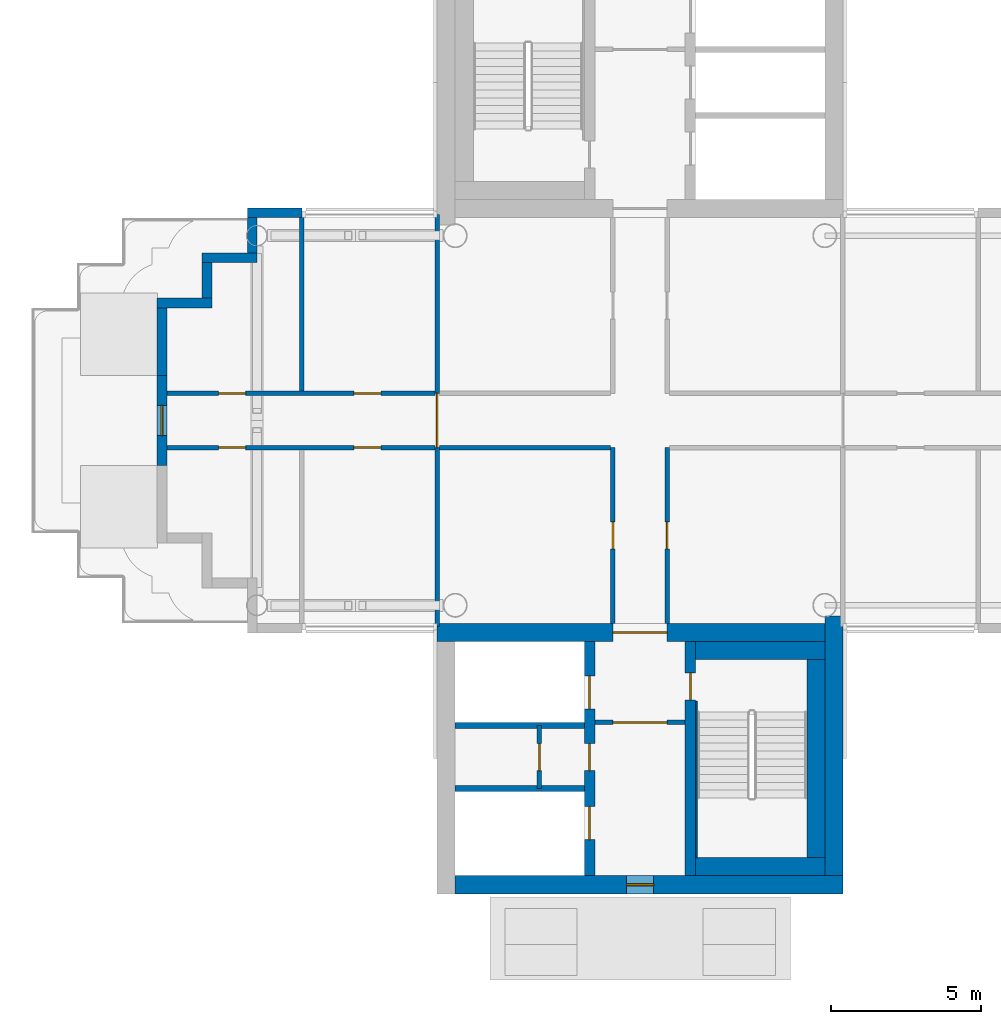
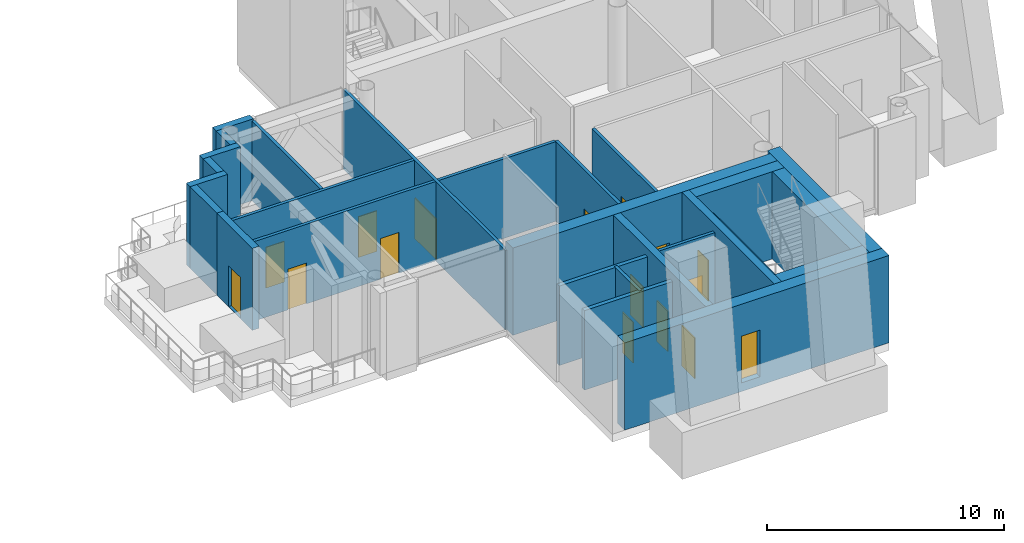
# One storey, part 9 of 16: 27 walls, 15 doors, 1 window, 16 openings.
"""IFC4 building model written with IfcOpenShell, lengths in metres."""

from ifc_helpers import new_model, si_unit, direction, frame, frame_2d, origin, place, context, subcontext, project, spatial, rectangle, extrude, material, layer, layer_set, type_object, element, fill, save


model = new_model("IFC4")

# Units and contexts
model_context = context("Model", 3, precision=1e-05, world=origin(), true_north=direction((0.0, 1.0)))
body_context = subcontext(model_context, "Body", "Model", "MODEL_VIEW")
ifc_project = project(units=[si_unit("LENGTHUNIT", "METRE"), si_unit("AREAUNIT", "SQUARE_METRE"), si_unit("VOLUMEUNIT", "CUBIC_METRE"), si_unit("PLANEANGLEUNIT", "RADIAN"), si_unit("MASSUNIT", "GRAM", prefix="KILO")], contexts=[model_context])

# Site, building, storey
site_placement = place(None, origin())
site = spatial("IfcSite", under=ifc_project, at=site_placement, CompositionType="ELEMENT")
building_placement = place(site_placement, origin())
building = spatial("IfcBuilding", under=site, at=building_placement, Name="Ipe Terrace Towers", CompositionType="ELEMENT")
storey_placement = place(building_placement, frame((0.0, 0.0, 233.39990234375)))
storey = spatial("IfcBuildingStorey", under=building, at=storey_placement, Name="L65", CompositionType="ELEMENT", Elevation=233.39990234375)

# Walls
ifc_material_1 = material(Name="Concrete C40/50 with buff precast cladding", Category="concrete")
ifc_layer_1 = layer(ifc_material_1, 0.320068359375)
ifc_layer_set_1 = layer_set([ifc_layer_1], Name="BUFF CLADDING WALL 320")
wall_type_1 = type_object("IfcWallType", Name="BUFF CLADDING WALL 320", PredefinedType="STANDARD", material=ifc_layer_set_1)
wall_1_placement = place(storey_placement, frame((24.75, 6.909912109375, 0.0), z_axis=(0.0, 0.0, 1.0), x_axis=(-1.0, 0.0, 0.0)))
element("IfcWall", 1, at=wall_1_placement, inside=storey, type_object=wall_type_1, Name="T2-W-L65-21a wall", PredefinedType="STANDARD", context=body_context, shape_type="SweptSolid", body=[
    extrude(rectangle(XDim=1.820068359375, YDim=0.320068359375, at=frame_2d((0.91015625, 0.0))), origin(), (0.0, 0.0, 1.0), 4.2001953125),
])
wall_2_placement = place(storey_placement, frame((23.090087890625, 6.75, -0.02001953125), z_axis=(0.0, 0.0, 1.0), x_axis=(0.0, -1.0, 0.0)))
element("IfcWall", 2, at=wall_2_placement, inside=storey, type_object=wall_type_1, Name="T2-W-L65-22a wall", PredefinedType="STANDARD", context=body_context, shape_type="SweptSolid", body=[
    extrude(rectangle(XDim=1.179931640625, YDim=0.320068359375, at=frame_2d((0.58984375, 0.0))), origin(), (0.0, 0.0, 1.0), 4.22021484375),
])
wall_3_placement = place(storey_placement, frame((23.25, 5.409912109375, -0.02001953125), z_axis=(0.0, 0.0, 1.0), x_axis=(-1.0, 0.0, 0.0)))
element("IfcWall", 3, at=wall_3_placement, inside=storey, type_object=wall_type_1, Name="T2-W-L65-23a wall", PredefinedType="STANDARD", context=body_context, shape_type="SweptSolid", body=[
    extrude(rectangle(XDim=1.820068359375, YDim=0.320068359375, at=frame_2d((0.91015625, 0.0))), origin(), (0.0, 0.0, 1.0), 4.22021484375),
])
wall_4_placement = place(storey_placement, frame((21.590087890625, 5.25, -0.02001953125), z_axis=(0.0, 0.0, 1.0), x_axis=(0.0, -1.0, 0.0)))
element("IfcWall", 4, at=wall_4_placement, inside=storey, type_object=wall_type_1, Name="T2-W-L65-24a wall", PredefinedType="STANDARD", context=body_context, shape_type="SweptSolid", body=[
    extrude(rectangle(XDim=1.179931640625, YDim=0.320068359375, at=frame_2d((0.58984375, 0.0))), origin(), (0.0, 0.0, 1.0), 4.22021484375),
])
wall_5_placement = place(storey_placement, frame((21.75, 3.909912109375, -0.02001953125), z_axis=(0.0, 0.0, 1.0), x_axis=(-1.0, 0.0, 0.0)))
element("IfcWall", 5, at=wall_5_placement, inside=storey, type_object=wall_type_1, Name="T2-W-L65-25a wall", PredefinedType="STANDARD", context=body_context, shape_type="SweptSolid", body=[
    extrude(rectangle(XDim=1.820068359375, YDim=0.320068359375, at=frame_2d((0.91015625, 0.0))), origin(), (0.0, 0.0, 1.0), 4.22021484375),
])
wall_6_placement = place(storey_placement, frame((20.090087890625, 3.75, -0.02001953125), z_axis=(0.0, 0.0, 1.0), x_axis=(0.0, -1.0, 0.0)))
element("IfcWall", 6, at=wall_6_placement, inside=storey, type_object=wall_type_1, Name="T2-W-L65-26a wall", PredefinedType="STANDARD", context=body_context, shape_type="SweptSolid", body=[
    extrude(rectangle(XDim=2.25, YDim=0.320068359375, at=frame_2d((1.125, 0.0))), origin(), (0.0, 0.0, 1.0), 4.22021484375),
])

# Wall, opening, door
wall_7_placement = place(storey_placement, frame((20.090087890625, 1.5, -0.02001953125), z_axis=(0.0, 0.0, 1.0), x_axis=(0.0, -1.0, 0.0)))
wall_7 = element("IfcWall", 7, at=wall_7_placement, inside=storey, type_object=wall_type_1, Name="T2-W-L65-26b wall", PredefinedType="STANDARD", context=body_context, shape_type="SweptSolid", body=[
    extrude(rectangle(XDim=3.0, YDim=0.320068359375, at=frame_2d((1.5, 0.0))), origin(), (0.0, 0.0, 1.0), 4.22021484375),
])
opening_1_placement = place(wall_7_placement, frame((1.0, 0.0, 0.02001953125)))
opening_1 = element("IfcOpeningElement", 8, at=opening_1_placement, cuts=wall_7, Name="Opening T2-D-L65-26", PredefinedType="OPENING", context=body_context, shape_type="SweptSolid", body=[
    extrude(rectangle(XDim=1.0, YDim=2.10009765625, at=frame_2d((0.5, 1.050048828125))), frame((0.0, 0.169921875, 0.0), z_axis=(0.0, -1.0, 0.0), x_axis=(1.0, 0.0, 0.0)), (0.0, 0.0, 1.0), 0.340087890625),
])
ifc_material_2 = material(Name="Aluminium alloy 6063-T6 framed glazed door", Category="aluminium")
door_type_1 = type_object("IfcDoorType", Name="TERRACE DOOR 1000 x 2100", OperationType="SINGLE_SWING_LEFT", PredefinedType="DOOR", material=ifc_material_2)
door_1_placement = place(opening_1_placement, origin())
door_1 = element("IfcDoor", 9, at=door_1_placement, inside=storey, type_object=door_type_1, Name="DT1 door", OperationType="SINGLE_SWING_LEFT", OverallHeight=2.10009765625, OverallWidth=1.0, PredefinedType="DOOR", context=body_context, shape_type="SweptSolid", body=[
    extrude(rectangle(XDim=1.0, YDim=2.10009765625, at=frame_2d((0.5, 1.050048828125))), frame((0.0, 0.02490234375, 0.0), z_axis=(0.0, -1.0, 0.0), x_axis=(1.0, 0.0, 0.0)), (0.0, 0.0, 1.0), 0.050048828125),
])
fill(opening_1, door_1)

ifc_material_3 = material(Name="Gypsum board partition", Category="plasterboard")
ifc_layer_2 = layer(ifc_material_3, 0.14990234375)
ifc_layer_set_2 = layer_set([ifc_layer_2], Name="Gypsum board partition 150 mm")
wall_type_2 = type_object("IfcWallType", Name="Gypsum board partition 150 mm", PredefinedType="PARTITIONING", material=ifc_layer_set_2)
wall_8_placement = place(storey_placement, frame((34.5, -10.050048828125, 0.0), z_axis=(0.0, 0.0, 1.0), x_axis=(1.0, 0.0, 0.0)))
wall_8 = element("IfcWall", 10, at=wall_8_placement, inside=storey, type_object=wall_type_2, Name="Gypsum board partition T2 L65 t2c2-lobby-wall", PredefinedType="PARTITIONING", context=body_context, shape_type="SweptSolid", body=[
    extrude(rectangle(XDim=3.0, YDim=0.14990234375, at=frame_2d((1.5, 0.0))), origin(), (0.0, 0.0, 1.0), 4.10009765625),
])
opening_2_placement = place(wall_8_placement, frame((0.60009765625, 0.0, 0.0)))
opening_2 = element("IfcOpeningElement", 11, at=opening_2_placement, cuts=wall_8, Name="Opening T2C2-VD", PredefinedType="OPENING", context=body_context, shape_type="SweptSolid", body=[
    extrude(rectangle(XDim=1.800048828125, YDim=2.10009765625, at=frame_2d((0.89990234375, 1.050048828125))), frame((0.0, 0.0849609375, 0.0), z_axis=(0.0, -1.0, 0.0), x_axis=(1.0, 0.0, 0.0)), (0.0, 0.0, 1.0), 0.169921875),
])
ifc_material_4 = material(Name="Fire-rated timber door leaf", Category="wood")
door_type_2 = type_object("IfcDoorType", Name="Lobby door 1800 x 2100 FD60", OperationType="NOTDEFINED", PredefinedType="DOOR", material=ifc_material_4)
door_2_placement = place(opening_2_placement, origin())
door_2 = element("IfcDoor", 12, at=door_2_placement, inside=storey, type_object=door_type_2, Name="Lobby door T2C2-VD", OperationType="SINGLE_SWING_LEFT", OverallHeight=2.10009765625, OverallWidth=1.800048828125, PredefinedType="DOOR", context=body_context, shape_type="SweptSolid", body=[
    extrude(rectangle(XDim=1.800048828125, YDim=2.10009765625, at=frame_2d((0.89990234375, 1.050048828125))), frame((0.0, 0.02490234375, 0.0), z_axis=(0.0, -1.0, 0.0), x_axis=(1.0, 0.0, 0.0)), (0.0, 0.0, 1.0), 0.050048828125),
])
fill(opening_2, door_2)

wall_9_placement = place(storey_placement, frame((32.64990234375, -10.14990234375, 0.0), z_axis=(0.0, 0.0, 1.0), x_axis=(0.0, -1.0, 0.0)))
wall_9 = element("IfcWall", 13, at=wall_9_placement, inside=storey, type_object=wall_type_2, Name="Gypsum board partition T2 L65 t2c2-q-back", PredefinedType="PARTITIONING", context=body_context, shape_type="SweptSolid", body=[
    extrude(rectangle(XDim=2.10009765625, YDim=0.14990234375, at=frame_2d((1.050048828125, 0.0))), origin(), (0.0, 0.0, 1.0), 4.10009765625),
])
opening_3_placement = place(wall_9_placement, frame((0.60009765625, 0.0, 0.0)))
opening_3 = element("IfcOpeningElement", 14, at=opening_3_placement, cuts=wall_9, Name="Opening T2C2-RB-FD30S", PredefinedType="OPENING", context=body_context, shape_type="SweptSolid", body=[
    extrude(rectangle(XDim=0.89990234375, YDim=2.10009765625, at=frame_2d((0.449951171875, 1.050048828125))), frame((0.0, 0.0849609375, 0.0), z_axis=(0.0, -1.0, 0.0), x_axis=(1.0, 0.0, 0.0)), (0.0, 0.0, 1.0), 0.169921875),
])
ifc_material_5 = material(Name="Fire-rated timber door leaf", Category="wood")
door_type_3 = type_object("IfcDoorType", Name="Service door 900 x 2100 FD30S", OperationType="NOTDEFINED", PredefinedType="DOOR", material=ifc_material_5)
door_3_placement = place(opening_3_placement, origin())
door_3 = element("IfcDoor", 15, at=door_3_placement, inside=storey, type_object=door_type_3, Name="Service door T2C2-RB-FD30S", OperationType="SINGLE_SWING_LEFT", OverallHeight=2.10009765625, OverallWidth=0.89990234375, PredefinedType="DOOR", context=body_context, shape_type="SweptSolid", body=[
    extrude(rectangle(XDim=0.89990234375, YDim=2.10009765625, at=frame_2d((0.449951171875, 1.050048828125))), frame((0.0, 0.02490234375, 0.0), z_axis=(0.0, -1.0, 0.0), x_axis=(1.0, 0.0, 0.0)), (0.0, 0.0, 1.0), 0.050048828125),
])
fill(opening_3, door_3)

wall_10_placement = place(storey_placement, frame((35.10009765625, -6.75, 0.0), z_axis=(0.0, 0.0, 1.0), x_axis=(0.0, 1.0, 0.0)))
wall_10 = element("IfcWall", 16, at=wall_10_placement, inside=storey, type_object=wall_type_2, Name="Gypsum board partition T2 L65 sp-hub-qwn-x", PredefinedType="PARTITIONING", context=body_context, shape_type="SweptSolid", body=[
    extrude(rectangle(XDim=5.85009765625, YDim=0.14990234375, at=frame_2d((2.925048828125, 0.0))), origin(), (0.0, 0.0, 1.0), 4.10009765625),
])
opening_4_placement = place(wall_10_placement, frame((2.47509765625, 0.0, 0.0)))
opening_4 = element("IfcOpeningElement", 17, at=opening_4_placement, cuts=wall_10, Name="Opening T2-SP-HWN-FD60", PredefinedType="OPENING", context=body_context, shape_type="SweptSolid", body=[
    extrude(rectangle(XDim=0.89990234375, YDim=2.10009765625, at=frame_2d((0.449951171875, 1.050048828125))), frame((0.0, 0.0849609375, 0.0), z_axis=(0.0, -1.0, 0.0), x_axis=(1.0, 0.0, 0.0)), (0.0, 0.0, 1.0), 0.169921875),
])
ifc_material_6 = material(Name="Fire-rated timber door leaf", Category="wood")
door_type_4 = type_object("IfcDoorType", Name="Service door 900 x 2100 FD60", OperationType="NOTDEFINED", PredefinedType="DOOR", material=ifc_material_6)
door_4_placement = place(opening_4_placement, origin())
door_4 = element("IfcDoor", 18, at=door_4_placement, inside=storey, type_object=door_type_4, Name="Service door T2-SP-HWN-FD60", OperationType="SINGLE_SWING_LEFT", OverallHeight=2.10009765625, OverallWidth=0.89990234375, PredefinedType="DOOR", context=body_context, shape_type="SweptSolid", body=[
    extrude(rectangle(XDim=0.89990234375, YDim=2.10009765625, at=frame_2d((0.449951171875, 1.050048828125))), frame((0.0, 0.02490234375, 0.0), z_axis=(0.0, -1.0, 0.0), x_axis=(1.0, 0.0, 0.0)), (0.0, 0.0, 1.0), 0.050048828125),
])
fill(opening_4, door_4)

# Wall
wall_11_placement = place(storey_placement, frame((35.02490234375, -0.89990234375, 0.0), z_axis=(0.0, 0.0, 1.0), x_axis=(-1.0, 0.0, 0.0)))
element("IfcWall", 19, at=wall_11_placement, inside=storey, type_object=wall_type_2, Name="Gypsum board partition T2 L65 sp-hub-qwn-y", PredefinedType="PARTITIONING", context=body_context, shape_type="SweptSolid", body=[
    extrude(rectangle(XDim=5.699951171875, YDim=0.14990234375, at=frame_2d((2.85009765625, 0.0))), origin(), (0.0, 0.0, 1.0), 4.10009765625),
])

# Wall, opening, door
wall_12_placement = place(storey_placement, frame((36.89990234375, -6.75, 0.0), z_axis=(0.0, 0.0, 1.0), x_axis=(0.0, 1.0, 0.0)))
wall_12 = element("IfcWall", 20, at=wall_12_placement, inside=storey, type_object=wall_type_2, Name="Gypsum board partition T2 L65 sp-hub-qws-x", PredefinedType="PARTITIONING", context=body_context, shape_type="SweptSolid", body=[
    extrude(rectangle(XDim=5.85009765625, YDim=0.14990234375, at=frame_2d((2.925048828125, 0.0))), origin(), (0.0, 0.0, 1.0), 4.10009765625),
])
opening_5_placement = place(wall_12_placement, frame((2.47509765625, 0.0, 0.0)))
opening_5 = element("IfcOpeningElement", 21, at=opening_5_placement, cuts=wall_12, Name="Opening T2-SP-HWS-FD60", PredefinedType="OPENING", context=body_context, shape_type="SweptSolid", body=[
    extrude(rectangle(XDim=0.89990234375, YDim=2.10009765625, at=frame_2d((0.449951171875, 1.050048828125))), frame((0.0, 0.0849609375, 0.0), z_axis=(0.0, -1.0, 0.0), x_axis=(1.0, 0.0, 0.0)), (0.0, 0.0, 1.0), 0.169921875),
])
door_5_placement = place(opening_5_placement, origin())
door_5 = element("IfcDoor", 22, at=door_5_placement, inside=storey, type_object=door_type_4, Name="Service door T2-SP-HWS-FD60", OperationType="SINGLE_SWING_RIGHT", OverallHeight=2.10009765625, OverallWidth=0.89990234375, PredefinedType="DOOR", context=body_context, shape_type="SweptSolid", body=[
    extrude(rectangle(XDim=0.89990234375, YDim=2.10009765625, at=frame_2d((0.449951171875, 1.050048828125))), frame((0.0, 0.02490234375, 0.0), z_axis=(0.0, -1.0, 0.0), x_axis=(1.0, 0.0, 0.0)), (0.0, 0.0, 1.0), 0.050048828125),
])
fill(opening_5, door_5)

wall_13_placement = place(storey_placement, frame((29.25, -6.85009765625, 0.0), z_axis=(0.0, 0.0, 1.0), x_axis=(0.0, 1.0, 0.0)))
wall_13 = element("IfcWall", 23, at=wall_13_placement, inside=storey, type_object=wall_type_2, Name="Gypsum board partition T2 L65 sp-Sp-mouth", PredefinedType="PARTITIONING", context=body_context, shape_type="SweptSolid", body=[
    extrude(rectangle(XDim=13.7001953125, YDim=0.14990234375, at=frame_2d((6.85009765625, 0.0))), origin(), (0.0, 0.0, 1.0), 4.10009765625),
])
opening_6_placement = place(wall_13_placement, frame((5.949951171875, 0.0, 0.0)))
opening_6 = element("IfcOpeningElement", 24, at=opening_6_placement, cuts=wall_13, Name="Opening T2-SP-MSp", PredefinedType="OPENING", context=body_context, shape_type="SweptSolid", body=[
    extrude(rectangle(XDim=1.800048828125, YDim=2.10009765625, at=frame_2d((0.89990234375, 1.050048828125))), frame((0.0, 0.0849609375, 0.0), z_axis=(0.0, -1.0, 0.0), x_axis=(1.0, 0.0, 0.0)), (0.0, 0.0, 1.0), 0.169921875),
])
ifc_material_7 = material(Name="Fire-rated timber door leaf", Category="wood")
door_type_5 = type_object("IfcDoorType", Name="Lobby door 1800 x 2100 FD30S", OperationType="NOTDEFINED", PredefinedType="DOOR", material=ifc_material_7)
door_6_placement = place(opening_6_placement, origin())
door_6 = element("IfcDoor", 25, at=door_6_placement, inside=storey, type_object=door_type_5, Name="Lobby door T2-SP-MSp", OperationType="SINGLE_SWING_LEFT", OverallHeight=2.10009765625, OverallWidth=1.800048828125, PredefinedType="DOOR", context=body_context, shape_type="SweptSolid", body=[
    extrude(rectangle(XDim=1.800048828125, YDim=2.10009765625, at=frame_2d((0.89990234375, 1.050048828125))), frame((0.0, 0.02490234375, 0.0), z_axis=(0.0, -1.0, 0.0), x_axis=(1.0, 0.0, 0.0)), (0.0, 0.0, 1.0), 0.050048828125),
])
fill(opening_6, door_6)

# Wall, openings, doors
wall_14_placement = place(storey_placement, frame((29.175048828125, 0.89990234375, 0.0), z_axis=(0.0, 0.0, 1.0), x_axis=(-1.0, 0.0, 0.0)))
wall_14 = element("IfcWall", 26, at=wall_14_placement, inside=storey, type_object=wall_type_2, Name="Gypsum board partition T2 L65 sp-Sp-wp", PredefinedType="PARTITIONING", context=body_context, shape_type="SweptSolid", body=[
    extrude(rectangle(XDim=9.025146484375, YDim=0.14990234375, at=frame_2d((4.5126953125, 0.0))), origin(), (0.0, 0.0, 1.0), 4.10009765625),
])
opening_7_placement = place(wall_14_placement, frame((1.800048828125, 0.0, 0.0)))
opening_7 = element("IfcOpeningElement", 27, at=opening_7_placement, cuts=wall_14, Name="Opening T2-SP-PSp1-FD60", PredefinedType="OPENING", context=body_context, shape_type="SweptSolid", body=[
    extrude(rectangle(XDim=0.89990234375, YDim=2.10009765625, at=frame_2d((0.449951171875, 1.050048828125))), frame((0.0, 0.0849609375, 0.0), z_axis=(0.0, -1.0, 0.0), x_axis=(1.0, 0.0, 0.0)), (0.0, 0.0, 1.0), 0.169921875),
])
opening_8_placement = place(wall_14_placement, frame((6.300048828125, 0.0, 0.0)))
opening_8 = element("IfcOpeningElement", 28, at=opening_8_placement, cuts=wall_14, Name="Opening T2-SP-PSp2-FD60", PredefinedType="OPENING", context=body_context, shape_type="SweptSolid", body=[
    extrude(rectangle(XDim=0.89990234375, YDim=2.10009765625, at=frame_2d((0.449951171875, 1.050048828125))), frame((0.0, 0.0849609375, 0.0), z_axis=(0.0, -1.0, 0.0), x_axis=(1.0, 0.0, 0.0)), (0.0, 0.0, 1.0), 0.169921875),
])
door_7_placement = place(opening_7_placement, origin())
door_7 = element("IfcDoor", 29, at=door_7_placement, inside=storey, type_object=door_type_4, Name="Service door T2-SP-PSp1-FD60", OperationType="SINGLE_SWING_LEFT", OverallHeight=2.10009765625, OverallWidth=0.89990234375, PredefinedType="DOOR", context=body_context, shape_type="SweptSolid", body=[
    extrude(rectangle(XDim=0.89990234375, YDim=2.10009765625, at=frame_2d((0.449951171875, 1.050048828125))), frame((0.0, 0.02490234375, 0.0), z_axis=(0.0, -1.0, 0.0), x_axis=(1.0, 0.0, 0.0)), (0.0, 0.0, 1.0), 0.050048828125),
])
fill(opening_7, door_7)
door_8_placement = place(opening_8_placement, origin())
door_8 = element("IfcDoor", 30, at=door_8_placement, inside=storey, type_object=door_type_4, Name="Service door T2-SP-PSp2-FD60", OperationType="SINGLE_SWING_RIGHT", OverallHeight=2.10009765625, OverallWidth=0.89990234375, PredefinedType="DOOR", context=body_context, shape_type="SweptSolid", body=[
    extrude(rectangle(XDim=0.89990234375, YDim=2.10009765625, at=frame_2d((0.449951171875, 1.050048828125))), frame((0.0, 0.02490234375, 0.0), z_axis=(0.0, -1.0, 0.0), x_axis=(1.0, 0.0, 0.0)), (0.0, 0.0, 1.0), 0.050048828125),
])
fill(opening_8, door_8)

# Wall
wall_15_placement = place(storey_placement, frame((24.75, 0.97509765625, 0.0), z_axis=(0.0, 0.0, 1.0), x_axis=(0.0, 1.0, 0.0)))
element("IfcWall", 31, at=wall_15_placement, inside=storey, type_object=wall_type_2, Name="Gypsum board partition T2 L65 sp-Sp-dp1", PredefinedType="PARTITIONING", context=body_context, shape_type="SweptSolid", body=[
    extrude(rectangle(XDim=5.875, YDim=0.14990234375, at=frame_2d((2.9375, 0.0))), origin(), (0.0, 0.0, 1.0), 4.10009765625),
])

# Wall, openings, doors
wall_16_placement = place(storey_placement, frame((29.175048828125, -0.89990234375, 0.0), z_axis=(0.0, 0.0, 1.0), x_axis=(-1.0, 0.0, 0.0)))
wall_16 = element("IfcWall", 32, at=wall_16_placement, inside=storey, type_object=wall_type_2, Name="Gypsum board partition T2 L65 sp-Sp-wm", PredefinedType="PARTITIONING", context=body_context, shape_type="SweptSolid", body=[
    extrude(rectangle(XDim=9.025146484375, YDim=0.14990234375, at=frame_2d((4.5126953125, 0.0))), origin(), (0.0, 0.0, 1.0), 4.10009765625),
])
opening_9_placement = place(wall_16_placement, frame((1.800048828125, 0.0, 0.0)))
opening_9 = element("IfcOpeningElement", 33, at=opening_9_placement, cuts=wall_16, Name="Opening T2-SP-MSp1-FD60", PredefinedType="OPENING", context=body_context, shape_type="SweptSolid", body=[
    extrude(rectangle(XDim=0.89990234375, YDim=2.10009765625, at=frame_2d((0.449951171875, 1.050048828125))), frame((0.0, 0.0849609375, 0.0), z_axis=(0.0, -1.0, 0.0), x_axis=(1.0, 0.0, 0.0)), (0.0, 0.0, 1.0), 0.169921875),
])
opening_10_placement = place(wall_16_placement, frame((6.300048828125, 0.0, 0.0)))
opening_10 = element("IfcOpeningElement", 34, at=opening_10_placement, cuts=wall_16, Name="Opening T2-SP-MSp2-FD60", PredefinedType="OPENING", context=body_context, shape_type="SweptSolid", body=[
    extrude(rectangle(XDim=0.89990234375, YDim=2.10009765625, at=frame_2d((0.449951171875, 1.050048828125))), frame((0.0, 0.0849609375, 0.0), z_axis=(0.0, -1.0, 0.0), x_axis=(1.0, 0.0, 0.0)), (0.0, 0.0, 1.0), 0.169921875),
])
door_9_placement = place(opening_9_placement, origin())
door_9 = element("IfcDoor", 35, at=door_9_placement, inside=storey, type_object=door_type_4, Name="Service door T2-SP-MSp1-FD60", OperationType="SINGLE_SWING_RIGHT", OverallHeight=2.10009765625, OverallWidth=0.89990234375, PredefinedType="DOOR", context=body_context, shape_type="SweptSolid", body=[
    extrude(rectangle(XDim=0.89990234375, YDim=2.10009765625, at=frame_2d((0.449951171875, 1.050048828125))), frame((0.0, 0.02490234375, 0.0), z_axis=(0.0, -1.0, 0.0), x_axis=(1.0, 0.0, 0.0)), (0.0, 0.0, 1.0), 0.050048828125),
])
fill(opening_9, door_9)
door_10_placement = place(opening_10_placement, origin())
door_10 = element("IfcDoor", 36, at=door_10_placement, inside=storey, type_object=door_type_4, Name="Service door T2-SP-MSp2-FD60", OperationType="SINGLE_SWING_LEFT", OverallHeight=2.10009765625, OverallWidth=0.89990234375, PredefinedType="DOOR", context=body_context, shape_type="SweptSolid", body=[
    extrude(rectangle(XDim=0.89990234375, YDim=2.10009765625, at=frame_2d((0.449951171875, 1.050048828125))), frame((0.0, 0.02490234375, 0.0), z_axis=(0.0, -1.0, 0.0), x_axis=(1.0, 0.0, 0.0)), (0.0, 0.0, 1.0), 0.050048828125),
])
fill(opening_10, door_10)

# Walls
ifc_material_8 = material(Name="Gypsum board party wall", Category="plasterboard")
ifc_layer_3 = layer(ifc_material_8, 0.199951171875)
ifc_layer_set_3 = layer_set([ifc_layer_3], Name="Gypsum board party wall 200 mm")
wall_type_3 = type_object("IfcWallType", Name="Gypsum board party wall 200 mm", PredefinedType="SOLIDWALL", material=ifc_layer_set_3)
for number, where, z_axis, x_axis, name in (
    (37, (29.85009765625, -12.25, 0.0), (0.0, 0.0, 1.0), (1.0, 0.0, 0.0), "Gypsum board party wall T2 L65 t2c2-shaft-div2"),
    (38, (29.85009765625, -10.14990234375, 0.0), (0.0, 0.0, 1.0), (1.0, 0.0, 0.0), "Gypsum board party wall T2 L65 t2c2-shaft-div1"),
):
    element("IfcWall", number, at=place(storey_placement, frame(where, z_axis=z_axis, x_axis=x_axis)), inside=storey, type_object=wall_type_3, Name=name, PredefinedType="SOLIDWALL", context=body_context, shape_type="SweptSolid", body=[
        extrude(rectangle(XDim=4.2998046875, YDim=0.199951171875, at=frame_2d((2.14990234375, 0.0))), origin(), (0.0, 0.0, 1.0), 4.10009765625),
    ])

# Wall, openings, doors
ifc_material_9 = material(Name="Concrete C40/50", Category="concrete")
ifc_layer_4 = layer(ifc_material_9, 0.35009765625)
ifc_layer_set_4 = layer_set([ifc_layer_4], Name="RW350 CORE SPINE WALL 350 C40-50")
wall_type_4 = type_object("IfcWallType", Name="RW350 CORE SPINE WALL 350 C40-50", PredefinedType="SHEAR", material=ifc_layer_set_4)
wall_17_placement = place(storey_placement, frame((34.324951171875, -15.14990234375, 0.0), z_axis=(0.0, 0.0, 1.0), x_axis=(0.0, 1.0, 0.0)))
wall_17 = element("IfcWall", 39, at=wall_17_placement, inside=storey, type_object=wall_type_4, Name="Core spine wall T2-C2-Z4-SW1", PredefinedType="SHEAR", context=body_context, shape_type="SweptSolid", body=[
    extrude(rectangle(XDim=7.7998046875, YDim=0.35009765625, at=frame_2d((3.89990234375, 0.0))), origin(), (0.0, 0.0, 1.0), 4.5),
])
opening_11_placement = place(wall_17_placement, frame((5.550048828125, 0.0, 0.0)))
opening_11 = element("IfcOpeningElement", 40, at=opening_11_placement, cuts=wall_17, Name="Opening T2C2-LD1", PredefinedType="OPENING", context=body_context, shape_type="SweptSolid", body=[
    extrude(rectangle(XDim=1.10009765625, YDim=2.10009765625, at=frame_2d((0.550048828125, 1.050048828125))), frame((0.0, 0.18505859375, 0.0), z_axis=(0.0, -1.0, 0.0), x_axis=(1.0, 0.0, 0.0)), (0.0, 0.0, 1.0), 0.3701171875),
])
opening_12_placement = place(wall_17_placement, frame((1.199951171875, 0.0, 0.0)))
opening_12 = element("IfcOpeningElement", 41, at=opening_12_placement, cuts=wall_17, Name="Opening T2C2-LD3", PredefinedType="OPENING", context=body_context, shape_type="SweptSolid", body=[
    extrude(rectangle(XDim=1.10009765625, YDim=2.10009765625, at=frame_2d((0.550048828125, 1.050048828125))), frame((0.0, 0.18505859375, 0.0), z_axis=(0.0, -1.0, 0.0), x_axis=(1.0, 0.0, 0.0)), (0.0, 0.0, 1.0), 0.3701171875),
])
opening_13_placement = place(wall_17_placement, frame((3.5, 0.0, 0.0)))
opening_13 = element("IfcOpeningElement", 42, at=opening_13_placement, cuts=wall_17, Name="Opening T2C2-R1", PredefinedType="OPENING", context=body_context, shape_type="SweptSolid", body=[
    extrude(rectangle(XDim=0.89990234375, YDim=2.10009765625, at=frame_2d((0.449951171875, 1.050048828125))), frame((0.0, 0.18505859375, 0.0), z_axis=(0.0, -1.0, 0.0), x_axis=(1.0, 0.0, 0.0)), (0.0, 0.0, 1.0), 0.3701171875),
])
ifc_material_10 = material(Name="Fire-rated timber door leaf", Category="wood")
door_type_6 = type_object("IfcDoorType", Name="Sliding door 1100 x 2100 FD60", OperationType="SLIDING_TO_LEFT", PredefinedType="DOOR", material=ifc_material_10)
door_11_placement = place(opening_11_placement, origin())
door_11 = element("IfcDoor", 43, at=door_11_placement, inside=storey, type_object=door_type_6, Name="Sliding door T2C2-LD1", OperationType="SLIDING_TO_LEFT", OverallHeight=2.10009765625, OverallWidth=1.10009765625, PredefinedType="DOOR", context=body_context, shape_type="SweptSolid", body=[
    extrude(rectangle(XDim=1.10009765625, YDim=2.10009765625, at=frame_2d((0.550048828125, 1.050048828125))), frame((0.0, 0.02490234375, 0.0), z_axis=(0.0, -1.0, 0.0), x_axis=(1.0, 0.0, 0.0)), (0.0, 0.0, 1.0), 0.050048828125),
])
fill(opening_11, door_11)
door_12_placement = place(opening_12_placement, origin())
door_12 = element("IfcDoor", 44, at=door_12_placement, inside=storey, type_object=door_type_6, Name="Sliding door T2C2-LD3", OperationType="SLIDING_TO_LEFT", OverallHeight=2.10009765625, OverallWidth=1.10009765625, PredefinedType="DOOR", context=body_context, shape_type="SweptSolid", body=[
    extrude(rectangle(XDim=1.10009765625, YDim=2.10009765625, at=frame_2d((0.550048828125, 1.050048828125))), frame((0.0, 0.02490234375, 0.0), z_axis=(0.0, -1.0, 0.0), x_axis=(1.0, 0.0, 0.0)), (0.0, 0.0, 1.0), 0.050048828125),
])
fill(opening_12, door_12)
ifc_material_11 = material(Name="Timber door leaf", Category="wood")
door_type_7 = type_object("IfcDoorType", Name="Store door 900 x 2100", OperationType="NOTDEFINED", PredefinedType="DOOR", material=ifc_material_11)
door_13_placement = place(opening_13_placement, origin())
door_13 = element("IfcDoor", 45, at=door_13_placement, inside=storey, type_object=door_type_7, Name="Store door T2C2-R1", OperationType="SINGLE_SWING_LEFT", OverallHeight=2.10009765625, OverallWidth=0.89990234375, PredefinedType="DOOR", context=body_context, shape_type="SweptSolid", body=[
    extrude(rectangle(XDim=0.89990234375, YDim=2.10009765625, at=frame_2d((0.449951171875, 1.050048828125))), frame((0.0, 0.02490234375, 0.0), z_axis=(0.0, -1.0, 0.0), x_axis=(1.0, 0.0, 0.0)), (0.0, 0.0, 1.0), 0.050048828125),
])
fill(opening_13, door_13)

# Wall, opening, door
wall_18_placement = place(storey_placement, frame((37.675048828125, -15.14990234375, 0.0), z_axis=(0.0, 0.0, 1.0), x_axis=(0.0, 1.0, 0.0)))
wall_18 = element("IfcWall", 46, at=wall_18_placement, inside=storey, type_object=wall_type_4, Name="Core spine wall T2-C2-Z4-SW2", PredefinedType="SHEAR", context=body_context, shape_type="SweptSolid", body=[
    extrude(rectangle(XDim=7.7998046875, YDim=0.35009765625, at=frame_2d((3.89990234375, 0.0))), origin(), (0.0, 0.0, 1.0), 4.5),
])
opening_14_placement = place(wall_18_placement, frame((5.85009765625, 0.0, 0.0)))
opening_14 = element("IfcOpeningElement", 47, at=opening_14_placement, cuts=wall_18, Name="Opening T2C2-SD", PredefinedType="OPENING", context=body_context, shape_type="SweptSolid", body=[
    extrude(rectangle(XDim=0.89990234375, YDim=2.10009765625, at=frame_2d((0.449951171875, 1.050048828125))), frame((0.0, 0.18505859375, 0.0), z_axis=(0.0, -1.0, 0.0), x_axis=(1.0, 0.0, 0.0)), (0.0, 0.0, 1.0), 0.3701171875),
])
ifc_material_12 = material(Name="Fire-rated timber door leaf", Category="wood")
door_type_8 = type_object("IfcDoorType", Name="Stair door 900 x 2100 FD60", OperationType="NOTDEFINED", PredefinedType="DOOR", material=ifc_material_12)
door_14_placement = place(opening_14_placement, origin())
door_14 = element("IfcDoor", 48, at=door_14_placement, inside=storey, type_object=door_type_8, Name="Stair door T2C2-SD", OperationType="SINGLE_SWING_RIGHT", OverallHeight=2.10009765625, OverallWidth=0.89990234375, PredefinedType="DOOR", context=body_context, shape_type="SweptSolid", body=[
    extrude(rectangle(XDim=0.89990234375, YDim=2.10009765625, at=frame_2d((0.449951171875, 1.050048828125))), frame((0.0, 0.02490234375, 0.0), z_axis=(0.0, -1.0, 0.0), x_axis=(1.0, 0.0, 0.0)), (0.0, 0.0, 1.0), 0.050048828125),
])
fill(opening_14, door_14)

# Walls
ifc_material_13 = material(Name="Concrete C40/50", Category="concrete")
ifc_layer_5 = layer(ifc_material_13, 0.050048828125)
ifc_layer_set_5 = layer_set([ifc_layer_5], Name="RW50 CORE INFILL WALL 50 C40-50")
wall_type_5 = type_object("IfcWallType", Name="RW50 CORE INFILL WALL 50 C40-50", PredefinedType="SHEAR", material=ifc_layer_set_5)
wall_19_placement = place(storey_placement, frame((37.875, -9.35009765625, 0.0), z_axis=(0.0, 0.0, 1.0), x_axis=(0.0, -1.0, 0.0)))
element("IfcWall", 49, at=wall_19_placement, inside=storey, type_object=wall_type_5, Name="Core infill wall T2-C2-spine-b", PredefinedType="SHEAR", context=body_context, shape_type="SweptSolid", body=[
    extrude(rectangle(XDim=5.199951171875, YDim=0.050048828125, at=frame_2d((2.60009765625, 0.0))), origin(), (0.0, 0.0, 1.0), 4.5),
])
ifc_material_14 = material(Name="Concrete C40/50", Category="concrete")
ifc_layer_6 = layer(ifc_material_14, 0.60009765625)
ifc_layer_set_6 = layer_set([ifc_layer_6], Name="RW600 CORE INFILL WALL 600 C40-50")
wall_type_6 = type_object("IfcWallType", Name="RW600 CORE INFILL WALL 600 C40-50", PredefinedType="SHEAR", material=ifc_layer_set_6)
wall_20_placement = place(storey_placement, frame((37.85009765625, -14.85009765625, 0.0), z_axis=(0.0, 0.0, 1.0), x_axis=(1.0, 0.0, 0.0)))
element("IfcWall", 50, at=wall_20_placement, inside=storey, type_object=wall_type_6, Name="Core infill wall T2-C2-far", PredefinedType="SHEAR", context=body_context, shape_type="SweptSolid", body=[
    extrude(rectangle(XDim=4.2998046875, YDim=0.60009765625, at=frame_2d((2.14990234375, 0.0))), origin(), (0.0, 0.0, 1.0), 4.5),
])
wall_21_placement = place(storey_placement, frame((41.85009765625, -7.949951171875, 0.0), z_axis=(0.0, 0.0, 1.0), x_axis=(0.0, -1.0, 0.0)))
element("IfcWall", 51, at=wall_21_placement, inside=storey, type_object=wall_type_6, Name="Core infill wall T2-C2-back", PredefinedType="SHEAR", context=body_context, shape_type="SweptSolid", body=[
    extrude(rectangle(XDim=6.60009765625, YDim=0.60009765625, at=frame_2d((3.300048828125, 0.0))), origin(), (0.0, 0.0, 1.0), 4.5),
])
wall_22_placement = place(storey_placement, frame((37.85009765625, -7.64990234375, 0.0), z_axis=(0.0, 0.0, 1.0), x_axis=(1.0, 0.0, 0.0)))
element("IfcWall", 52, at=wall_22_placement, inside=storey, type_object=wall_type_6, Name="Core infill wall T2-C2-near", PredefinedType="SHEAR", context=body_context, shape_type="SweptSolid", body=[
    extrude(rectangle(XDim=4.2998046875, YDim=0.60009765625, at=frame_2d((2.14990234375, 0.0))), origin(), (0.0, 0.0, 1.0), 4.5),
])

# Wall, opening, window
ifc_material_15 = material(Name="Concrete C40/50", Category="concrete")
ifc_layer_7 = layer(ifc_material_15, 0.60009765625)
ifc_layer_set_7 = layer_set([ifc_layer_7], Name="RW600 CORE WALL 600 C40-50")
wall_type_7 = type_object("IfcWallType", Name="RW600 CORE WALL 600 C40-50", PredefinedType="SHEAR", material=ifc_layer_set_7)
wall_23_placement = place(storey_placement, frame((29.85009765625, -15.449951171875, 0.0), z_axis=(0.0, 0.0, 1.0), x_axis=(1.0, 0.0, 0.0)))
wall_23 = element("IfcWall", 53, at=wall_23_placement, inside=storey, type_object=wall_type_7, Name="Core wall T2-C2-Z4-W01", PredefinedType="SHEAR", context=body_context, shape_type="SweptSolid", body=[
    extrude(rectangle(XDim=12.89990234375, YDim=0.60009765625, at=frame_2d((6.449951171875, 0.0))), origin(), (0.0, 0.0, 1.0), 4.5),
])
opening_15_placement = place(wall_23_placement, frame((5.699951171875, 0.0, 0.449951171875)))
opening_15 = element("IfcOpeningElement", 54, at=opening_15_placement, cuts=wall_23, Name="Opening T2-C2-W-01-L65", PredefinedType="OPENING", context=body_context, shape_type="SweptSolid", body=[
    extrude(rectangle(XDim=0.89990234375, YDim=2.39990234375, at=frame_2d((0.449951171875, 1.199951171875))), frame((0.0, 0.31005859375, 0.0), z_axis=(0.0, -1.0, 0.0), x_axis=(1.0, 0.0, 0.0)), (0.0, 0.0, 1.0), 0.6201171875),
])
ifc_material_16 = material(Name="Fire-resistant glazing EI 60", Category="glass")
window_type = type_object("IfcWindowType", Name="CORRIDOR END SLOT WINDOW 900 x 2400 EI 60", PartitioningType="SINGLE_PANEL", PredefinedType="WINDOW", material=ifc_material_16)
window_placement = place(opening_15_placement, origin())
window = element("IfcWindow", 55, at=window_placement, inside=storey, type_object=window_type, Name="W-01 window", OverallHeight=2.39990234375, OverallWidth=0.89990234375, PartitioningType="SINGLE_PANEL", PredefinedType="WINDOW", context=body_context, shape_type="SweptSolid", body=[
    extrude(rectangle(XDim=0.89990234375, YDim=2.39990234375, at=frame_2d((0.449951171875, 1.199951171875))), frame((0.0, 0.030029296875, 0.0), z_axis=(0.0, -1.0, 0.0), x_axis=(1.0, 0.0, 0.0)), (0.0, 0.0, 1.0), 0.06005859375),
])
fill(opening_15, window)

# Wall
wall_24_placement = place(storey_placement, frame((42.449951171875, -15.14990234375, 0.0), z_axis=(0.0, 0.0, 1.0), x_axis=(0.0, 1.0, 0.0)))
element("IfcWall", 56, at=wall_24_placement, inside=storey, type_object=wall_type_7, Name="Core wall T2-C2-Z4-W02", PredefinedType="SHEAR", context=body_context, shape_type="SweptSolid", body=[
    extrude(rectangle(XDim=8.64794921875, YDim=0.60009765625, at=frame_2d((4.323974609375, 0.0))), origin(), (0.0, 0.0, 1.0), 4.5),
])

# Wall, opening, door
wall_25_placement = place(storey_placement, frame((42.14990234375, -7.050048828125, 0.0), z_axis=(0.0, 0.0, 1.0), x_axis=(-1.0, 0.0, 0.0)))
wall_25 = element("IfcWall", 57, at=wall_25_placement, inside=storey, type_object=wall_type_7, Name="Core wall T2-C2-Z4-W03", PredefinedType="SHEAR", context=body_context, shape_type="SweptSolid", body=[
    extrude(rectangle(XDim=12.89990234375, YDim=0.60009765625, at=frame_2d((6.449951171875, 0.0))), origin(), (0.0, 0.0, 1.0), 4.5),
])
opening_16_placement = place(wall_25_placement, frame((5.25, 0.0, 0.0)))
opening_16 = element("IfcOpeningElement", 58, at=opening_16_placement, cuts=wall_25, Name="Opening T2C2-ND", PredefinedType="OPENING", context=body_context, shape_type="SweptSolid", body=[
    extrude(rectangle(XDim=1.800048828125, YDim=2.10009765625, at=frame_2d((0.89990234375, 1.050048828125))), frame((0.0, 0.31005859375, 0.0), z_axis=(0.0, -1.0, 0.0), x_axis=(1.0, 0.0, 0.0)), (0.0, 0.0, 1.0), 0.6201171875),
])
ifc_material_17 = material(Name="Fire-rated timber door leaf", Category="wood")
door_type_9 = type_object("IfcDoorType", Name="Fire door 1800 x 2100 FD30S", OperationType="NOTDEFINED", PredefinedType="DOOR", material=ifc_material_17)
door_15_placement = place(opening_16_placement, origin())
door_15 = element("IfcDoor", 59, at=door_15_placement, inside=storey, type_object=door_type_9, Name="Fire door T2C2-ND", OperationType="SINGLE_SWING_LEFT", OverallHeight=2.10009765625, OverallWidth=1.800048828125, PredefinedType="DOOR", context=body_context, shape_type="SweptSolid", body=[
    extrude(rectangle(XDim=1.800048828125, YDim=2.10009765625, at=frame_2d((0.89990234375, 1.050048828125))), frame((0.0, 0.02490234375, 0.0), z_axis=(0.0, -1.0, 0.0), x_axis=(1.0, 0.0, 0.0)), (0.0, 0.0, 1.0), 0.050048828125),
])
fill(opening_16, door_15)

save(model, "model.ifc")
